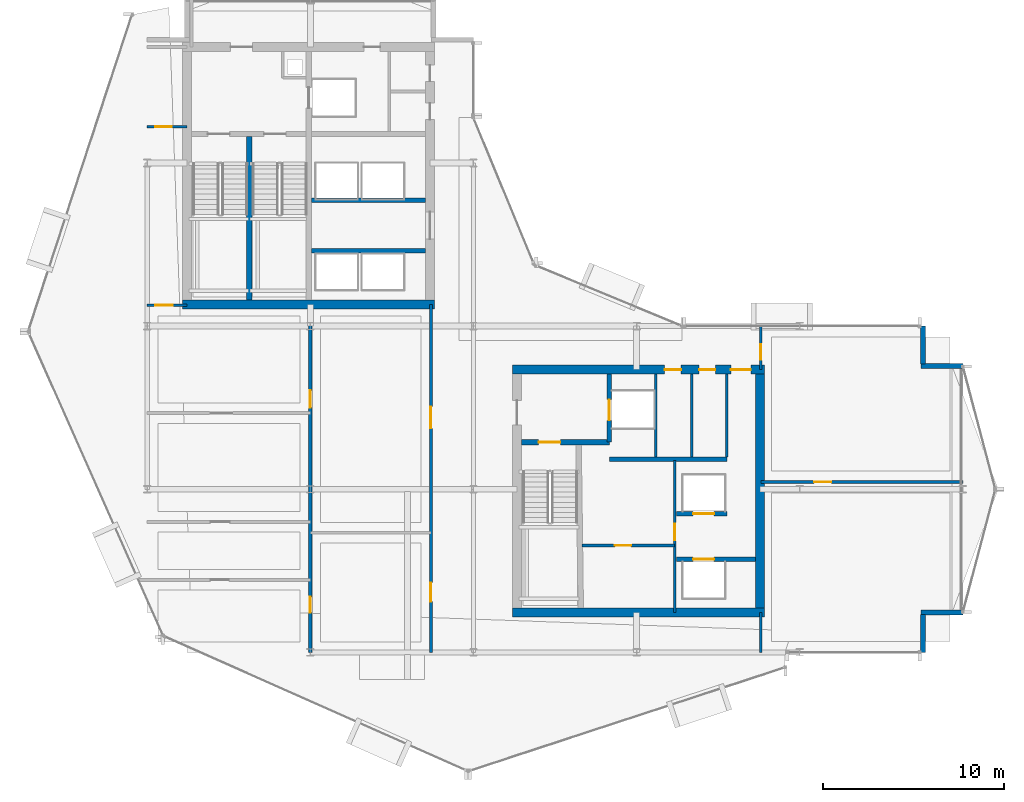
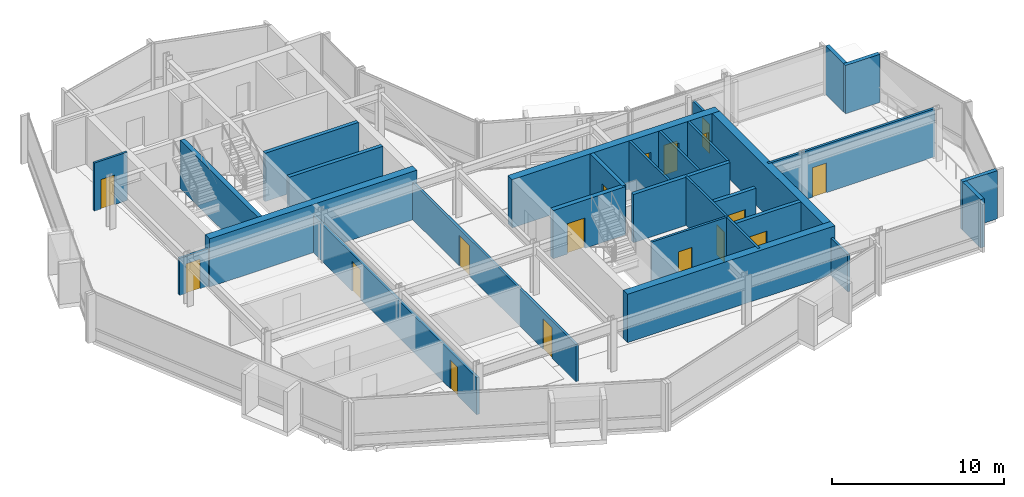
# One storey, part 20 of 27: 28 walls, 17 doors, 17 openings.
"""IFC4 building model written with IfcOpenShell, lengths in metres."""

from ifc_helpers import new_model, si_unit, direction, frame, frame_2d, origin, place, context, subcontext, project, spatial, rectangle, extrude, material, layer, layer_set, type_object, element, fill, save


model = new_model("IFC4")

# Units and contexts
model_context = context("Model", 3, precision=1e-05, world=origin(), true_north=direction((0.0, 1.0)))
body_context = subcontext(model_context, "Body", "Model", "MODEL_VIEW")
ifc_project = project(units=[si_unit("LENGTHUNIT", "METRE"), si_unit("AREAUNIT", "SQUARE_METRE"), si_unit("VOLUMEUNIT", "CUBIC_METRE"), si_unit("PLANEANGLEUNIT", "RADIAN"), si_unit("MASSUNIT", "GRAM", prefix="KILO")], contexts=[model_context])

# Site, building, storey
site_placement = place(None, origin())
site = spatial("IfcSite", under=ifc_project, at=site_placement, CompositionType="ELEMENT")
building_placement = place(site_placement, origin())
building = spatial("IfcBuilding", under=site, at=building_placement, Name="Solvaryn Broadcast Tower", CompositionType="ELEMENT")
storey_placement = place(building_placement, frame((0.0, 0.0, 185.300048828125)))
storey = spatial("IfcBuildingStorey", under=building, at=storey_placement, Name="L46", CompositionType="ELEMENT", Elevation=185.300048828125)

# Walls
ifc_material_1 = material(Name="Concrete f'c 70 MPa", Category="concrete")
ifc_layer_1 = layer(ifc_material_1, 0.5)
ifc_layer_set_1 = layer_set([ifc_layer_1], Name="CW-SHEAR-500")
wall_type_1 = type_object("IfcWallType", Name="CW-SHEAR-500", PredefinedType="SHEAR", material=ifc_layer_set_1)
for number, where, z_axis, x_axis, name in (
    (1, (10.949951171875, 28.199951171875, 0.0), (0.0, 0.0, 1.0), (1.0, 0.0, 0.0), "L46 West Core South Shear Wall"),
    (2, (29.14990234375, 11.199951171875, 0.0), (0.0, 0.0, 1.0), (1.0, 0.0, 0.0), "L46 East Core South Shear Wall"),
):
    element("IfcWall", number, at=place(storey_placement, frame(where, z_axis=z_axis, x_axis=x_axis)), inside=storey, type_object=wall_type_1, Name=name, PredefinedType="SHEAR", context=body_context, shape_type="SweptSolid", body=[
        extrude(rectangle(XDim=13.900146484375, YDim=0.5, at=frame_2d((6.9501953125, 0.0))), origin(), (0.0, 0.0, 1.0), 3.419921875),
    ])

# Wall, openings, doors
wall_1_placement = place(storey_placement, frame((43.050048828125, 24.60009765625, 0.0), z_axis=(0.0, 0.0, 1.0), x_axis=(-1.0, 0.0, 0.0)))
wall_1 = element("IfcWall", 3, at=wall_1_placement, inside=storey, type_object=wall_type_1, Name="L46 East Core North Shear Wall", PredefinedType="SHEAR", context=body_context, shape_type="SweptSolid", body=[
    extrude(rectangle(XDim=13.900146484375, YDim=0.5, at=frame_2d((6.9501953125, 0.0))), origin(), (0.0, 0.0, 1.0), 3.419921875),
])
opening_1_placement = place(wall_1_placement, frame((0.75, 0.0, 0.0)))
opening_1 = element("IfcOpeningElement", 4, at=opening_1_placement, cuts=wall_1, Name="Opening FD90C", PredefinedType="OPENING", context=body_context, shape_type="SweptSolid", body=[
    extrude(rectangle(XDim=1.10009765625, YDim=2.14990234375, at=frame_2d((0.550048828125, 1.074951171875))), frame((0.0, 0.260009765625, 0.0), z_axis=(0.0, -1.0, 0.0), x_axis=(1.0, 0.0, 0.0)), (0.0, 0.0, 1.0), 0.52001953125),
])
opening_2_placement = place(wall_1_placement, frame((2.699951171875, 0.0, 0.0)))
opening_2 = element("IfcOpeningElement", 5, at=opening_2_placement, cuts=wall_1, Name="Opening FD60C", PredefinedType="OPENING", context=body_context, shape_type="SweptSolid", body=[
    extrude(rectangle(XDim=0.89990234375, YDim=2.10009765625, at=frame_2d((0.449951171875, 1.050048828125))), frame((0.0, 0.260009765625, 0.0), z_axis=(0.0, -1.0, 0.0), x_axis=(1.0, 0.0, 0.0)), (0.0, 0.0, 1.0), 0.52001953125),
])
opening_3_placement = place(wall_1_placement, frame((4.60009765625, 0.0, 0.0)))
opening_3 = element("IfcOpeningElement", 6, at=opening_3_placement, cuts=wall_1, Name="Opening FD60C", PredefinedType="OPENING", context=body_context, shape_type="SweptSolid", body=[
    extrude(rectangle(XDim=0.89990234375, YDim=2.10009765625, at=frame_2d((0.449951171875, 1.050048828125))), frame((0.0, 0.260009765625, 0.0), z_axis=(0.0, -1.0, 0.0), x_axis=(1.0, 0.0, 0.0)), (0.0, 0.0, 1.0), 0.52001953125),
])
ifc_material_2 = material(Name="Flush Acoustic Steel and Timber Door Assembly", Category="steel")
door_type_1 = type_object("IfcDoorType", Name="FD60-SERV-900X2100", OperationType="NOTDEFINED", PredefinedType="DOOR", material=ifc_material_2)
door_1_placement = place(opening_2_placement, origin())
door_1 = element("IfcDoor", 7, at=door_1_placement, inside=storey, type_object=door_type_1, Name="L46 Staff Restroom Door", OperationType="SINGLE_SWING_LEFT", OverallHeight=2.10009765625, OverallWidth=0.89990234375, PredefinedType="DOOR", context=body_context, shape_type="SweptSolid", body=[
    extrude(rectangle(XDim=0.89990234375, YDim=2.10009765625, at=frame_2d((0.449951171875, 1.050048828125))), frame((0.0, 0.02490234375, 0.0), z_axis=(0.0, -1.0, 0.0), x_axis=(1.0, 0.0, 0.0)), (0.0, 0.0, 1.0), 0.050048828125),
])
fill(opening_2, door_1)
door_2_placement = place(opening_3_placement, origin())
door_2 = element("IfcDoor", 8, at=door_2_placement, inside=storey, type_object=door_type_1, Name="L46 Accessible WC Door", OperationType="SINGLE_SWING_RIGHT", OverallHeight=2.10009765625, OverallWidth=0.89990234375, PredefinedType="DOOR", context=body_context, shape_type="SweptSolid", body=[
    extrude(rectangle(XDim=0.89990234375, YDim=2.10009765625, at=frame_2d((0.449951171875, 1.050048828125))), frame((0.0, 0.02490234375, 0.0), z_axis=(0.0, -1.0, 0.0), x_axis=(1.0, 0.0, 0.0)), (0.0, 0.0, 1.0), 0.050048828125),
])
fill(opening_3, door_2)
ifc_material_3 = material(Name="Flush Acoustic Steel and Timber Door Assembly", Category="steel")
door_type_2 = type_object("IfcDoorType", Name="FD90-PLANT-1100X2150", OperationType="NOTDEFINED", PredefinedType="DOOR", material=ifc_material_3)
door_3_placement = place(opening_1_placement, origin())
door_3 = element("IfcDoor", 9, at=door_3_placement, inside=storey, type_object=door_type_2, Name="L46 East Core Lobby Corridor Door", OperationType="SINGLE_SWING_LEFT", OverallHeight=2.14990234375, OverallWidth=1.10009765625, PredefinedType="DOOR", context=body_context, shape_type="SweptSolid", body=[
    extrude(rectangle(XDim=1.10009765625, YDim=2.14990234375, at=frame_2d((0.550048828125, 1.074951171875))), frame((0.0, 0.02490234375, 0.0), z_axis=(0.0, -1.0, 0.0), x_axis=(1.0, 0.0, 0.0)), (0.0, 0.0, 1.0), 0.050048828125),
])
fill(opening_1, door_3)

# Walls
wall_2_placement = place(storey_placement, frame((42.800048828125, 11.449951171875, 0.0), z_axis=(0.0, 0.0, 1.0), x_axis=(0.0, 1.0, 0.0)))
element("IfcWall", 10, at=wall_2_placement, inside=storey, type_object=wall_type_1, Name="L46 East Core East Shear Wall", PredefinedType="SHEAR", context=body_context, shape_type="SweptSolid", body=[
    extrude(rectangle(XDim=12.900146484375, YDim=0.5, at=frame_2d((6.4501953125, 0.0))), origin(), (0.0, 0.0, 1.0), 3.419921875),
])
ifc_material_4 = material(Name="Concrete f'c 50 MPa", Category="concrete")
ifc_layer_2 = layer(ifc_material_4, 0.260009765625)
ifc_layer_set_2 = layer_set([ifc_layer_2], Name="EW-PIER-260")
wall_type_2 = type_object("IfcWallType", Name="EW-PIER-260", PredefinedType="SOLIDWALL", material=ifc_layer_set_2)
wall_3_placement = place(storey_placement, frame((51.800048828125, 9.0, 0.0), z_axis=(0.0, 0.0, 1.0), x_axis=(0.0, 1.0, 0.0)))
element("IfcWall", 11, at=wall_3_placement, inside=storey, type_object=wall_type_2, Name="L46 Notched Corner Pier Wall NSE1", PredefinedType="SOLIDWALL", context=body_context, shape_type="SweptSolid", body=[
    extrude(rectangle(XDim=2.080078125, YDim=0.260009765625, at=frame_2d((1.0400390625, 0.0))), origin(), (0.0, 0.0, 1.0), 3.419921875),
])
for number, where, z_axis, x_axis, name in (
    (12, (51.679931640625, 11.199951171875, 0.0), (0.0, 0.0, 1.0), (1.0, 0.0, 0.0), "L46 Notched Corner Pier Wall NSE2"),
    (13, (54.0, 24.800048828125, 0.0), (0.0, 0.0, 1.0), (-1.0, 0.0, 0.0), "L46 Notched Corner Pier Wall NEE1"),
):
    element("IfcWall", number, at=place(storey_placement, frame(where, z_axis=z_axis, x_axis=x_axis)), inside=storey, type_object=wall_type_2, Name=name, PredefinedType="SOLIDWALL", context=body_context, shape_type="SweptSolid", body=[
        extrude(rectangle(XDim=2.320068359375, YDim=0.260009765625, at=frame_2d((1.16015625, 0.0))), origin(), (0.0, 0.0, 1.0), 3.419921875),
    ])
wall_4_placement = place(storey_placement, frame((51.800048828125, 24.919921875, 0.0), z_axis=(0.0, 0.0, 1.0), x_axis=(0.0, 1.0, 0.0)))
element("IfcWall", 14, at=wall_4_placement, inside=storey, type_object=wall_type_2, Name="L46 Notched Corner Pier Wall NEE2", PredefinedType="SOLIDWALL", context=body_context, shape_type="SweptSolid", body=[
    extrude(rectangle(XDim=2.080078125, YDim=0.260009765625, at=frame_2d((1.0400390625, 0.0))), origin(), (0.0, 0.0, 1.0), 3.419921875),
])

# Wall, opening, door
ifc_material_5 = material(Name="Metal-Stud Service Core Partition")
ifc_layer_3 = layer(ifc_material_5, 0.14990234375)
ifc_layer_set_3 = layer_set([ifc_layer_3], Name="IW-PART-150")
wall_type_3 = type_object("IfcWallType", Name="IW-PART-150", PredefinedType="PARTITIONING", material=ifc_layer_set_3)
wall_5_placement = place(storey_placement, frame((33.0, 14.89990234375, 0.0), z_axis=(0.0, 0.0, 1.0), x_axis=(1.0, 0.0, 0.0)))
wall_5 = element("IfcWall", 15, at=wall_5_placement, inside=storey, type_object=wall_type_3, Name="L46 Interior Partition IW-L46-RPL-H", PredefinedType="PARTITIONING", context=body_context, shape_type="SweptSolid", body=[
    extrude(rectangle(XDim=5.10009765625, YDim=0.14990234375, at=frame_2d((2.550048828125, 0.0))), origin(), (0.0, 0.0, 1.0), 3.419921875),
])
opening_4_placement = place(wall_5_placement, frame((1.800048828125, 0.0, 0.0)))
opening_4 = element("IfcOpeningElement", 16, at=opening_4_placement, cuts=wall_5, Name="Opening FD60C", PredefinedType="OPENING", context=body_context, shape_type="SweptSolid", body=[
    extrude(rectangle(XDim=0.89990234375, YDim=2.10009765625, at=frame_2d((0.449951171875, 1.050048828125))), frame((0.0, 0.0849609375, 0.0), z_axis=(0.0, -1.0, 0.0), x_axis=(1.0, 0.0, 0.0)), (0.0, 0.0, 1.0), 0.169921875),
])
door_4_placement = place(opening_4_placement, origin())
door_4 = element("IfcDoor", 17, at=door_4_placement, inside=storey, type_object=door_type_1, Name="L46 Door DR-L46-RPL1", OperationType="SINGLE_SWING_RIGHT", OverallHeight=2.10009765625, OverallWidth=0.89990234375, PredefinedType="DOOR", context=body_context, shape_type="SweptSolid", body=[
    extrude(rectangle(XDim=0.89990234375, YDim=2.10009765625, at=frame_2d((0.449951171875, 1.050048828125))), frame((0.0, 0.02490234375, 0.0), z_axis=(0.0, -1.0, 0.0), x_axis=(1.0, 0.0, 0.0)), (0.0, 0.0, 1.0), 0.050048828125),
])
fill(opening_4, door_4)

wall_6_placement = place(storey_placement, frame((38.10009765625, 11.199951171875, 0.0), z_axis=(0.0, 0.0, 1.0), x_axis=(0.0, 1.0, 0.0)))
wall_6 = element("IfcWall", 18, at=wall_6_placement, inside=storey, type_object=wall_type_3, Name="L46 Interior Partition IW-L46-RPL-E", PredefinedType="PARTITIONING", context=body_context, shape_type="SweptSolid", body=[
    extrude(rectangle(XDim=8.400146484375, YDim=0.14990234375, at=frame_2d((4.2001953125, 0.0))), origin(), (0.0, 0.0, 1.0), 3.419921875),
])
opening_5_placement = place(wall_6_placement, frame((4.0, 0.0, 0.0)))
opening_5 = element("IfcOpeningElement", 19, at=opening_5_placement, cuts=wall_6, Name="Opening FD60C", PredefinedType="OPENING", context=body_context, shape_type="SweptSolid", body=[
    extrude(rectangle(XDim=0.89990234375, YDim=2.10009765625, at=frame_2d((0.449951171875, 1.050048828125))), frame((0.0, 0.0849609375, 0.0), z_axis=(0.0, -1.0, 0.0), x_axis=(1.0, 0.0, 0.0)), (0.0, 0.0, 1.0), 0.169921875),
])
door_5_placement = place(opening_5_placement, origin())
door_5 = element("IfcDoor", 20, at=door_5_placement, inside=storey, type_object=door_type_1, Name="L46 Door DR-L46-RPL2", OperationType="SINGLE_SWING_LEFT", OverallHeight=2.10009765625, OverallWidth=0.89990234375, PredefinedType="DOOR", context=body_context, shape_type="SweptSolid", body=[
    extrude(rectangle(XDim=0.89990234375, YDim=2.10009765625, at=frame_2d((0.449951171875, 1.050048828125))), frame((0.0, 0.02490234375, 0.0), z_axis=(0.0, -1.0, 0.0), x_axis=(1.0, 0.0, 0.0)), (0.0, 0.0, 1.0), 0.050048828125),
])
fill(opening_5, door_5)

# Walls
for number, where, z_axis, x_axis, name in (
    (21, (37.050048828125, 19.780029296875, 0.0), (0.0, 0.0, 1.0), (0.0, 1.0, 0.0), "L46 Interior Partition IW-L46-CE-FL2E"),
    (22, (39.050048828125, 19.780029296875, 0.0), (0.0, 0.0, 1.0), (0.0, 1.0, 0.0), "L46 Interior Partition IW-L46-CE-V1"),
    (23, (40.97998046875, 19.780029296875, 0.0), (0.0, 0.0, 1.0), (0.0, 1.0, 0.0), "L46 Interior Partition IW-L46-CE-V3"),
):
    element("IfcWall", number, at=place(storey_placement, frame(where, z_axis=z_axis, x_axis=x_axis)), inside=storey, type_object=wall_type_3, Name=name, PredefinedType="PARTITIONING", context=body_context, shape_type="SweptSolid", body=[
        extrude(rectangle(XDim=4.570068359375, YDim=0.14990234375, at=frame_2d((2.28515625, 0.0))), origin(), (0.0, 0.0, 1.0), 3.419921875),
    ])

# Wall, opening, door
wall_7_placement = place(storey_placement, frame((9.0, 38.0, 0.0), z_axis=(0.0, 0.0, 1.0), x_axis=(1.0, 0.0, 0.0)))
wall_7 = element("IfcWall", 24, at=wall_7_placement, inside=storey, type_object=wall_type_3, Name="L46 Interior Partition IW-L46-WM-M", PredefinedType="PARTITIONING", context=body_context, shape_type="SweptSolid", body=[
    extrude(rectangle(XDim=2.199951171875, YDim=0.14990234375, at=frame_2d((1.10009765625, 0.0))), origin(), (0.0, 0.0, 1.0), 3.419921875),
])
opening_6_placement = place(wall_7_placement, frame((0.449951171875, 0.0, 0.0)))
opening_6 = element("IfcOpeningElement", 25, at=opening_6_placement, cuts=wall_7, Name="Opening FD60C", PredefinedType="OPENING", context=body_context, shape_type="SweptSolid", body=[
    extrude(rectangle(XDim=0.89990234375, YDim=2.10009765625, at=frame_2d((0.449951171875, 1.050048828125))), frame((0.0, 0.0849609375, 0.0), z_axis=(0.0, -1.0, 0.0), x_axis=(1.0, 0.0, 0.0)), (0.0, 0.0, 1.0), 0.169921875),
])
door_6_placement = place(opening_6_placement, origin())
door_6 = element("IfcDoor", 26, at=door_6_placement, inside=storey, type_object=door_type_1, Name="L46 Door DR-L46-WM1", OperationType="SINGLE_SWING_RIGHT", OverallHeight=2.10009765625, OverallWidth=0.89990234375, PredefinedType="DOOR", context=body_context, shape_type="SweptSolid", body=[
    extrude(rectangle(XDim=0.89990234375, YDim=2.10009765625, at=frame_2d((0.449951171875, 1.050048828125))), frame((0.0, 0.02490234375, 0.0), z_axis=(0.0, -1.0, 0.0), x_axis=(1.0, 0.0, 0.0)), (0.0, 0.0, 1.0), 0.050048828125),
])
fill(opening_6, door_6)

ifc_material_6 = material(Name="Metal-Stud Gypsum Office Partition")
ifc_layer_4 = layer(ifc_material_6, 0.159912109375)
ifc_layer_set_4 = layer_set([ifc_layer_4], Name="IW-PART-160")
wall_type_4 = type_object("IfcWallType", Name="IW-PART-160", PredefinedType="PARTITIONING", material=ifc_layer_set_4)
wall_8_placement = place(storey_placement, frame((9.0, 28.14990234375, 0.0), z_axis=(0.0, 0.0, 1.0), x_axis=(1.0, 0.0, 0.0)))
wall_8 = element("IfcWall", 27, at=wall_8_placement, inside=storey, type_object=wall_type_4, Name="L46 Interior Partition IW-L46-WM-S", PredefinedType="PARTITIONING", context=body_context, shape_type="SweptSolid", body=[
    extrude(rectangle(XDim=2.199951171875, YDim=0.159912109375, at=frame_2d((1.10009765625, 0.0))), origin(), (0.0, 0.0, 1.0), 2.634033203125),
])
opening_7_placement = place(wall_8_placement, frame((0.449951171875, 0.0, 0.0)))
opening_7 = element("IfcOpeningElement", 28, at=opening_7_placement, cuts=wall_8, Name="Opening ID01", PredefinedType="OPENING", context=body_context, shape_type="SweptSolid", body=[
    extrude(rectangle(XDim=0.949951171875, YDim=2.10009765625, at=frame_2d((0.47509765625, 1.050048828125))), frame((0.0, 0.090087890625, 0.0), z_axis=(0.0, -1.0, 0.0), x_axis=(1.0, 0.0, 0.0)), (0.0, 0.0, 1.0), 0.179931640625),
])
ifc_material_7 = material(Name="Flush Acoustic Steel and Timber Door Assembly", Category="steel")
door_type_3 = type_object("IfcDoorType", Name="ID-01-950X2100", OperationType="NOTDEFINED", PredefinedType="DOOR", material=ifc_material_7)
door_7_placement = place(opening_7_placement, origin())
door_7 = element("IfcDoor", 29, at=door_7_placement, inside=storey, type_object=door_type_3, Name="L46 Door DR-L46-WM0", OperationType="SINGLE_SWING_LEFT", OverallHeight=2.10009765625, OverallWidth=0.949951171875, PredefinedType="DOOR", context=body_context, shape_type="SweptSolid", body=[
    extrude(rectangle(XDim=0.949951171875, YDim=2.10009765625, at=frame_2d((0.47509765625, 1.050048828125))), frame((0.0, 0.02490234375, 0.0), z_axis=(0.0, -1.0, 0.0), x_axis=(1.0, 0.0, 0.0)), (0.0, 0.0, 1.0), 0.050048828125),
])
fill(opening_7, door_7)

# Wall, openings, doors
wall_9_placement = place(storey_placement, frame((24.64990234375, 9.0, 0.0), z_axis=(0.0, 0.0, 1.0), x_axis=(0.0, 1.0, 0.0)))
wall_9 = element("IfcWall", 30, at=wall_9_placement, inside=storey, type_object=wall_type_4, Name="L46 Interior Partition IW-L46-SW-EB", PredefinedType="PARTITIONING", context=body_context, shape_type="SweptSolid", body=[
    extrude(rectangle(XDim=19.199951171875, YDim=0.159912109375, at=frame_2d((9.60009765625, 0.0))), origin(), (0.0, 0.0, 1.0), 2.634033203125),
])
opening_8_placement = place(wall_9_placement, frame((2.800048828125, 0.0, 0.0)))
opening_8 = element("IfcOpeningElement", 31, at=opening_8_placement, cuts=wall_9, Name="Opening ID03", PredefinedType="OPENING", context=body_context, shape_type="SweptSolid", body=[
    extrude(rectangle(XDim=1.050048828125, YDim=2.14990234375, at=frame_2d((0.52490234375, 1.074951171875))), frame((0.0, 0.090087890625, 0.0), z_axis=(0.0, -1.0, 0.0), x_axis=(1.0, 0.0, 0.0)), (0.0, 0.0, 1.0), 0.179931640625),
])
opening_9_placement = place(wall_9_placement, frame((12.364990234375, 0.0, 0.0)))
opening_9 = element("IfcOpeningElement", 32, at=opening_9_placement, cuts=wall_9, Name="Opening ID04", PredefinedType="OPENING", context=body_context, shape_type="SweptSolid", body=[
    extrude(rectangle(XDim=1.199951171875, YDim=2.14990234375, at=frame_2d((0.60009765625, 1.074951171875))), frame((0.0, 0.090087890625, 0.0), z_axis=(0.0, -1.0, 0.0), x_axis=(1.0, 0.0, 0.0)), (0.0, 0.0, 1.0), 0.179931640625),
])
ifc_material_8 = material(Name="Flush Acoustic Steel and Timber Door Assembly", Category="steel")
door_type_4 = type_object("IfcDoorType", Name="ID-03-1050X2150", OperationType="NOTDEFINED", PredefinedType="DOOR", material=ifc_material_8)
door_8_placement = place(opening_8_placement, origin())
door_8 = element("IfcDoor", 33, at=door_8_placement, inside=storey, type_object=door_type_4, Name="L46 Door DR-L46-SWE-1", OperationType="SINGLE_SWING_LEFT", OverallHeight=2.14990234375, OverallWidth=1.050048828125, PredefinedType="DOOR", context=body_context, shape_type="SweptSolid", body=[
    extrude(rectangle(XDim=1.050048828125, YDim=2.14990234375, at=frame_2d((0.52490234375, 1.074951171875))), frame((0.0, 0.02490234375, 0.0), z_axis=(0.0, -1.0, 0.0), x_axis=(1.0, 0.0, 0.0)), (0.0, 0.0, 1.0), 0.050048828125),
])
fill(opening_8, door_8)
ifc_material_9 = material(Name="Flush Acoustic Steel and Timber Door Assembly", Category="steel")
door_type_5 = type_object("IfcDoorType", Name="ID-04-1200X2150", OperationType="NOTDEFINED", PredefinedType="DOOR", material=ifc_material_9)
door_9_placement = place(opening_9_placement, origin())
door_9 = element("IfcDoor", 34, at=door_9_placement, inside=storey, type_object=door_type_5, Name="L46 Door DR-L46-SWE-2", OperationType="SINGLE_SWING_RIGHT", OverallHeight=2.14990234375, OverallWidth=1.199951171875, PredefinedType="DOOR", context=body_context, shape_type="SweptSolid", body=[
    extrude(rectangle(XDim=1.199951171875, YDim=2.14990234375, at=frame_2d((0.60009765625, 1.074951171875))), frame((0.0, 0.02490234375, 0.0), z_axis=(0.0, -1.0, 0.0), x_axis=(1.0, 0.0, 0.0)), (0.0, 0.0, 1.0), 0.050048828125),
])
fill(opening_9, door_9)

# Wall
wall_10_placement = place(storey_placement, frame((42.85009765625, 9.0, 0.0), z_axis=(0.0, 0.0, 1.0), x_axis=(0.0, 1.0, 0.0)))
element("IfcWall", 35, at=wall_10_placement, inside=storey, type_object=wall_type_4, Name="L46 Interior Partition IW-L46-SC-E", PredefinedType="PARTITIONING", context=body_context, shape_type="SweptSolid", body=[
    extrude(rectangle(XDim=2.199951171875, YDim=0.159912109375, at=frame_2d((1.10009765625, 0.0))), origin(), (0.0, 0.0, 1.0), 2.634033203125),
])

# Wall, opening, door
wall_11_placement = place(storey_placement, frame((42.85009765625, 24.60009765625, 0.0), z_axis=(0.0, 0.0, 1.0), x_axis=(0.0, 1.0, 0.0)))
wall_11 = element("IfcWall", 36, at=wall_11_placement, inside=storey, type_object=wall_type_4, Name="L46 Interior Partition IW-L46-EW-BN", PredefinedType="PARTITIONING", context=body_context, shape_type="SweptSolid", body=[
    extrude(rectangle(XDim=2.39990234375, YDim=0.159912109375, at=frame_2d((1.199951171875, 0.0))), origin(), (0.0, 0.0, 1.0), 2.634033203125),
])
opening_10_placement = place(wall_11_placement, frame((0.550048828125, 0.0, 0.0)))
opening_10 = element("IfcOpeningElement", 37, at=opening_10_placement, cuts=wall_11, Name="Opening ID07", PredefinedType="OPENING", context=body_context, shape_type="SweptSolid", body=[
    extrude(rectangle(XDim=0.860107421875, YDim=2.050048828125, at=frame_2d((0.43017578125, 1.02490234375))), frame((0.0, 0.090087890625, 0.0), z_axis=(0.0, -1.0, 0.0), x_axis=(1.0, 0.0, 0.0)), (0.0, 0.0, 1.0), 0.179931640625),
])
ifc_material_10 = material(Name="Flush Acoustic Steel and Timber Door Assembly", Category="steel")
door_type_6 = type_object("IfcDoorType", Name="ID-07-860X2050", OperationType="NOTDEFINED", PredefinedType="DOOR", material=ifc_material_10)
door_10_placement = place(opening_10_placement, origin())
door_10 = element("IfcDoor", 38, at=door_10_placement, inside=storey, type_object=door_type_6, Name="L46 Door DR-L46-EW0", OperationType="SINGLE_SWING_RIGHT", OverallHeight=2.050048828125, OverallWidth=0.860107421875, PredefinedType="DOOR", context=body_context, shape_type="SweptSolid", body=[
    extrude(rectangle(XDim=0.860107421875, YDim=2.050048828125, at=frame_2d((0.43017578125, 1.02490234375))), frame((0.0, 0.02490234375, 0.0), z_axis=(0.0, -1.0, 0.0), x_axis=(1.0, 0.0, 0.0)), (0.0, 0.0, 1.0), 0.050048828125),
])
fill(opening_10, door_10)

wall_12_placement = place(storey_placement, frame((42.85009765625, 18.39990234375, 0.0), z_axis=(0.0, 0.0, 1.0), x_axis=(1.0, 0.0, 0.0)))
wall_12 = element("IfcWall", 39, at=wall_12_placement, inside=storey, type_object=wall_type_4, Name="L46 Interior Partition IW-L46-EW-H1", PredefinedType="PARTITIONING", context=body_context, shape_type="SweptSolid", body=[
    extrude(rectangle(XDim=11.14990234375, YDim=0.159912109375, at=frame_2d((5.574951171875, 0.0))), origin(), (0.0, 0.0, 1.0), 3.419921875),
])
opening_11_placement = place(wall_12_placement, frame((2.949951171875, 0.0, 0.0)))
opening_11 = element("IfcOpeningElement", 40, at=opening_11_placement, cuts=wall_12, Name="Opening ID01", PredefinedType="OPENING", context=body_context, shape_type="SweptSolid", body=[
    extrude(rectangle(XDim=0.949951171875, YDim=2.10009765625, at=frame_2d((0.47509765625, 1.050048828125))), frame((0.0, 0.090087890625, 0.0), z_axis=(0.0, -1.0, 0.0), x_axis=(1.0, 0.0, 0.0)), (0.0, 0.0, 1.0), 0.179931640625),
])
door_11_placement = place(opening_11_placement, origin())
door_11 = element("IfcDoor", 41, at=door_11_placement, inside=storey, type_object=door_type_3, Name="L46 Door DR-L46-EW-1", OperationType="SINGLE_SWING_LEFT", OverallHeight=2.10009765625, OverallWidth=0.949951171875, PredefinedType="DOOR", context=body_context, shape_type="SweptSolid", body=[
    extrude(rectangle(XDim=0.949951171875, YDim=2.10009765625, at=frame_2d((0.47509765625, 1.050048828125))), frame((0.0, 0.02490234375, 0.0), z_axis=(0.0, -1.0, 0.0), x_axis=(1.0, 0.0, 0.0)), (0.0, 0.0, 1.0), 0.050048828125),
])
fill(opening_11, door_11)

# Wall, openings, doors
ifc_material_11 = material(Name="Acoustic Metal-Stud Gypsum Partition")
ifc_layer_5 = layer(ifc_material_11, 0.179931640625)
ifc_layer_set_5 = layer_set([ifc_layer_5], Name="IW-PART-180")
wall_type_5 = type_object("IfcWallType", Name="IW-PART-180", PredefinedType="PARTITIONING", material=ifc_layer_set_5)
wall_13_placement = place(storey_placement, frame((18.0, 9.0, 0.0), z_axis=(0.0, 0.0, 1.0), x_axis=(0.0, 1.0, 0.0)))
wall_13 = element("IfcWall", 42, at=wall_13_placement, inside=storey, type_object=wall_type_5, Name="L46 Interior Partition IW-L46-SW-VX", PredefinedType="PARTITIONING", context=body_context, shape_type="SweptSolid", body=[
    extrude(rectangle(XDim=19.1298828125, YDim=0.179931640625, at=frame_2d((9.56494140625, 0.0))), origin(), (0.0, 0.0, 1.0), 2.634033203125),
])
opening_12_placement = place(wall_13_placement, frame((2.199951171875, 0.0, 0.0)))
opening_12 = element("IfcOpeningElement", 43, at=opening_12_placement, cuts=wall_13, Name="Opening ID07", PredefinedType="OPENING", context=body_context, shape_type="SweptSolid", body=[
    extrude(rectangle(XDim=0.860107421875, YDim=2.050048828125, at=frame_2d((0.43017578125, 1.02490234375))), frame((0.0, 0.099853515625, 0.0), z_axis=(0.0, -1.0, 0.0), x_axis=(1.0, 0.0, 0.0)), (0.0, 0.0, 1.0), 0.199951171875),
])
opening_13_placement = place(wall_13_placement, frame((13.5, 0.0, 0.0)))
opening_13 = element("IfcOpeningElement", 44, at=opening_13_placement, cuts=wall_13, Name="Opening ID01", PredefinedType="OPENING", context=body_context, shape_type="SweptSolid", body=[
    extrude(rectangle(XDim=0.949951171875, YDim=2.10009765625, at=frame_2d((0.47509765625, 1.050048828125))), frame((0.0, 0.099853515625, 0.0), z_axis=(0.0, -1.0, 0.0), x_axis=(1.0, 0.0, 0.0)), (0.0, 0.0, 1.0), 0.199951171875),
])
door_12_placement = place(opening_13_placement, origin())
door_12 = element("IfcDoor", 45, at=door_12_placement, inside=storey, type_object=door_type_3, Name="L46 Door DR-L46-SWW-X2", OperationType="SINGLE_SWING_RIGHT", OverallHeight=2.10009765625, OverallWidth=0.949951171875, PredefinedType="DOOR", context=body_context, shape_type="SweptSolid", body=[
    extrude(rectangle(XDim=0.949951171875, YDim=2.10009765625, at=frame_2d((0.47509765625, 1.050048828125))), frame((0.0, 0.02490234375, 0.0), z_axis=(0.0, -1.0, 0.0), x_axis=(1.0, 0.0, 0.0)), (0.0, 0.0, 1.0), 0.050048828125),
])
fill(opening_13, door_12)
door_13_placement = place(opening_12_placement, origin())
door_13 = element("IfcDoor", 46, at=door_13_placement, inside=storey, type_object=door_type_6, Name="L46 Door DR-L46-SWW-X1", OperationType="SINGLE_SWING_LEFT", OverallHeight=2.050048828125, OverallWidth=0.860107421875, PredefinedType="DOOR", context=body_context, shape_type="SweptSolid", body=[
    extrude(rectangle(XDim=0.860107421875, YDim=2.050048828125, at=frame_2d((0.43017578125, 1.02490234375))), frame((0.0, 0.02490234375, 0.0), z_axis=(0.0, -1.0, 0.0), x_axis=(1.0, 0.0, 0.0)), (0.0, 0.0, 1.0), 0.050048828125),
])
fill(opening_12, door_13)

# Walls
ifc_material_12 = material(Name="Concrete f'c 60 MPa", Category="concrete")
ifc_layer_6 = layer(ifc_material_12, 0.25)
ifc_layer_set_6 = layer_set([ifc_layer_6], Name="SW-SHAFT-250")
wall_type_6 = type_object("IfcWallType", Name="SW-SHAFT-250", PredefinedType="PARTITIONING", material=ifc_layer_set_6)
for number, where, z_axis, x_axis, name in (
    (47, (18.070068359375, 31.14990234375, 0.0), (0.0, 0.0, 1.0), (1.0, 0.0, 0.0), "L46 High-Rise Lift Bank South Wall"),
    (48, (24.35009765625, 33.949951171875, 0.0), (0.0, 0.0, 1.0), (-1.0, 0.0, 0.0), "L46 High-Rise Lift Bank North Wall"),
):
    element("IfcWall", number, at=place(storey_placement, frame(where, z_axis=z_axis, x_axis=x_axis)), inside=storey, type_object=wall_type_6, Name=name, PredefinedType="PARTITIONING", context=body_context, shape_type="SweptSolid", body=[
        extrude(rectangle(XDim=6.280029296875, YDim=0.25, at=frame_2d((3.14013671875, 0.0))), origin(), (0.0, 0.0, 1.0), 3.419921875),
    ])

# Wall, opening, door
wall_14_placement = place(storey_placement, frame((34.5, 20.60009765625, 0.0), z_axis=(0.0, 0.0, 1.0), x_axis=(0.0, 1.0, 0.0)))
wall_14 = element("IfcWall", 49, at=wall_14_placement, inside=storey, type_object=wall_type_6, Name="L46 East FSAE Lobby East Wall", PredefinedType="PARTITIONING", context=body_context, shape_type="SweptSolid", body=[
    extrude(rectangle(XDim=3.75, YDim=0.25, at=frame_2d((1.875, 0.0))), origin(), (0.0, 0.0, 1.0), 3.419921875),
])
opening_14_placement = place(wall_14_placement, frame((1.199951171875, 0.0, 0.0)))
opening_14 = element("IfcOpeningElement", 50, at=opening_14_placement, cuts=wall_14, Name="Opening LD01", PredefinedType="OPENING", context=body_context, shape_type="SweptSolid", body=[
    extrude(rectangle(XDim=1.14990234375, YDim=2.14990234375, at=frame_2d((0.574951171875, 1.074951171875))), frame((0.0, 0.135009765625, 0.0), z_axis=(0.0, -1.0, 0.0), x_axis=(1.0, 0.0, 0.0)), (0.0, 0.0, 1.0), 0.27001953125),
])
ifc_material_13 = material(Name="Flush Acoustic Steel and Timber Door Assembly", Category="steel")
door_type_7 = type_object("IfcDoorType", Name="LD-LIFT-1150X2150", OperationType="NOTDEFINED", PredefinedType="DOOR", material=ifc_material_13)
door_14_placement = place(opening_14_placement, origin())
door_14 = element("IfcDoor", 51, at=door_14_placement, inside=storey, type_object=door_type_7, Name="L46 FL2 Lift Landing Door", OperationType="DOUBLE_DOOR_SLIDING", OverallHeight=2.14990234375, OverallWidth=1.14990234375, PredefinedType="DOOR", context=body_context, shape_type="SweptSolid", body=[
    extrude(rectangle(XDim=1.14990234375, YDim=2.14990234375, at=frame_2d((0.574951171875, 1.074951171875))), frame((0.0, 0.02490234375, 0.0), z_axis=(0.0, -1.0, 0.0), x_axis=(1.0, 0.0, 0.0)), (0.0, 0.0, 1.0), 0.050048828125),
])
fill(opening_14, door_14)

# Wall
wall_15_placement = place(storey_placement, frame((34.5, 19.64990234375, 0.0), z_axis=(0.0, 0.0, 1.0), x_axis=(1.0, 0.0, 0.0)))
element("IfcWall", 52, at=wall_15_placement, inside=storey, type_object=wall_type_6, Name="L46 East Core Restroom South Wall", PredefinedType="PARTITIONING", context=body_context, shape_type="SweptSolid", body=[
    extrude(rectangle(XDim=6.47998046875, YDim=0.25, at=frame_2d((3.239990234375, 0.0))), origin(), (0.0, 0.0, 1.0), 3.419921875),
])

# Wall, opening, door
wall_16_placement = place(storey_placement, frame((38.199951171875, 14.14990234375, 0.0), z_axis=(0.0, 0.0, 1.0), x_axis=(1.0, 0.0, 0.0)))
wall_16 = element("IfcWall", 53, at=wall_16_placement, inside=storey, type_object=wall_type_6, Name="L46 East Lift Bank South Wall", PredefinedType="PARTITIONING", context=body_context, shape_type="SweptSolid", body=[
    extrude(rectangle(XDim=4.35009765625, YDim=0.25, at=frame_2d((2.175048828125, 0.0))), origin(), (0.0, 0.0, 1.0), 3.419921875),
])
opening_15_placement = place(wall_16_placement, frame((0.925048828125, 0.0, 0.0)))
opening_15 = element("IfcOpeningElement", 54, at=opening_15_placement, cuts=wall_16, Name="Opening LD01", PredefinedType="OPENING", context=body_context, shape_type="SweptSolid", body=[
    extrude(rectangle(XDim=1.14990234375, YDim=2.14990234375, at=frame_2d((0.574951171875, 1.074951171875))), frame((0.0, 0.135009765625, 0.0), z_axis=(0.0, -1.0, 0.0), x_axis=(1.0, 0.0, 0.0)), (0.0, 0.0, 1.0), 0.27001953125),
])
door_15_placement = place(opening_15_placement, origin())
door_15 = element("IfcDoor", 55, at=door_15_placement, inside=storey, type_object=door_type_7, Name="L46 PM1 Lift Landing Door", OperationType="DOUBLE_DOOR_SLIDING", OverallHeight=2.14990234375, OverallWidth=1.14990234375, PredefinedType="DOOR", context=body_context, shape_type="SweptSolid", body=[
    extrude(rectangle(XDim=1.14990234375, YDim=2.14990234375, at=frame_2d((0.574951171875, 1.074951171875))), frame((0.0, 0.02490234375, 0.0), z_axis=(0.0, -1.0, 0.0), x_axis=(1.0, 0.0, 0.0)), (0.0, 0.0, 1.0), 0.050048828125),
])
fill(opening_15, door_15)

wall_17_placement = place(storey_placement, frame((40.97998046875, 16.64990234375, 0.0), z_axis=(0.0, 0.0, 1.0), x_axis=(-1.0, 0.0, 0.0)))
wall_17 = element("IfcWall", 56, at=wall_17_placement, inside=storey, type_object=wall_type_6, Name="L46 East Lift Bank North Wall", PredefinedType="PARTITIONING", context=body_context, shape_type="SweptSolid", body=[
    extrude(rectangle(XDim=2.780029296875, YDim=0.25, at=frame_2d((1.39013671875, 0.0))), origin(), (0.0, 0.0, 1.0), 3.419921875),
])
opening_16_placement = place(wall_17_placement, frame((0.705078125, 0.0, 0.0)))
opening_16 = element("IfcOpeningElement", 57, at=opening_16_placement, cuts=wall_17, Name="Opening LD01", PredefinedType="OPENING", context=body_context, shape_type="SweptSolid", body=[
    extrude(rectangle(XDim=1.14990234375, YDim=2.14990234375, at=frame_2d((0.574951171875, 1.074951171875))), frame((0.0, 0.135009765625, 0.0), z_axis=(0.0, -1.0, 0.0), x_axis=(1.0, 0.0, 0.0)), (0.0, 0.0, 1.0), 0.27001953125),
])
door_16_placement = place(opening_16_placement, origin())
door_16 = element("IfcDoor", 58, at=door_16_placement, inside=storey, type_object=door_type_7, Name="L46 PM2 Lift Landing Door", OperationType="DOUBLE_DOOR_SLIDING", OverallHeight=2.14990234375, OverallWidth=1.14990234375, PredefinedType="DOOR", context=body_context, shape_type="SweptSolid", body=[
    extrude(rectangle(XDim=1.14990234375, YDim=2.14990234375, at=frame_2d((0.574951171875, 1.074951171875))), frame((0.0, 0.02490234375, 0.0), z_axis=(0.0, -1.0, 0.0), x_axis=(1.0, 0.0, 0.0)), (0.0, 0.0, 1.0), 0.050048828125),
])
fill(opening_16, door_16)

# Wall
ifc_material_14 = material(Name="Concrete f'c 70 MPa", Category="concrete")
ifc_layer_7 = layer(ifc_material_14, 0.300048828125)
ifc_layer_set_7 = layer_set([ifc_layer_7], Name="SW-SHAFT-300")
wall_type_7 = type_object("IfcWallType", Name="SW-SHAFT-300", PredefinedType="SHEAR", material=ifc_layer_set_7)
wall_18_placement = place(storey_placement, frame((14.6201171875, 28.449951171875, 0.0), z_axis=(0.0, 0.0, 1.0), x_axis=(0.0, 1.0, 0.0)))
element("IfcWall", 59, at=wall_18_placement, inside=storey, type_object=wall_type_7, Name="L46 Stair 1-2 Dividing Wall", PredefinedType="SHEAR", context=body_context, shape_type="SweptSolid", body=[
    extrude(rectangle(XDim=9.0, YDim=0.300048828125, at=frame_2d((4.5, 0.0))), origin(), (0.0, 0.0, 1.0), 3.419921875),
])

# Wall, opening, door
wall_19_placement = place(storey_placement, frame((34.5, 20.60009765625, 0.0), z_axis=(0.0, 0.0, 1.0), x_axis=(-1.0, 0.0, 0.0)))
wall_19 = element("IfcWall", 60, at=wall_19_placement, inside=storey, type_object=wall_type_7, Name="L46 East FSAE Lobby South Wall", PredefinedType="SHEAR", context=body_context, shape_type="SweptSolid", body=[
    extrude(rectangle(XDim=4.85009765625, YDim=0.300048828125, at=frame_2d((2.425048828125, 0.0))), origin(), (0.0, 0.0, 1.0), 3.419921875),
])
opening_17_placement = place(wall_19_placement, frame((2.699951171875, 0.0, 0.0)))
opening_17 = element("IfcOpeningElement", 61, at=opening_17_placement, cuts=wall_19, Name="Opening FD90A", PredefinedType="OPENING", context=body_context, shape_type="SweptSolid", body=[
    extrude(rectangle(XDim=1.199951171875, YDim=2.14990234375, at=frame_2d((0.60009765625, 1.074951171875))), frame((0.0, 0.159912109375, 0.0), z_axis=(0.0, -1.0, 0.0), x_axis=(1.0, 0.0, 0.0)), (0.0, 0.0, 1.0), 0.320068359375),
])
ifc_material_15 = material(Name="Flush Acoustic Steel and Timber Door Assembly", Category="steel")
door_type_8 = type_object("IfcDoorType", Name="FD90-STAIR-1200X2150", OperationType="NOTDEFINED", PredefinedType="DOOR", material=ifc_material_15)
door_17_placement = place(opening_17_placement, origin())
door_17 = element("IfcDoor", 62, at=door_17_placement, inside=storey, type_object=door_type_8, Name="L46 Stair 3 Fire Door", OperationType="SINGLE_SWING_LEFT", OverallHeight=2.14990234375, OverallWidth=1.199951171875, PredefinedType="DOOR", context=body_context, shape_type="SweptSolid", body=[
    extrude(rectangle(XDim=1.199951171875, YDim=2.14990234375, at=frame_2d((0.60009765625, 1.074951171875))), frame((0.0, 0.02490234375, 0.0), z_axis=(0.0, -1.0, 0.0), x_axis=(1.0, 0.0, 0.0)), (0.0, 0.0, 1.0), 0.050048828125),
])
fill(opening_17, door_17)

save(model, "model.ifc")
